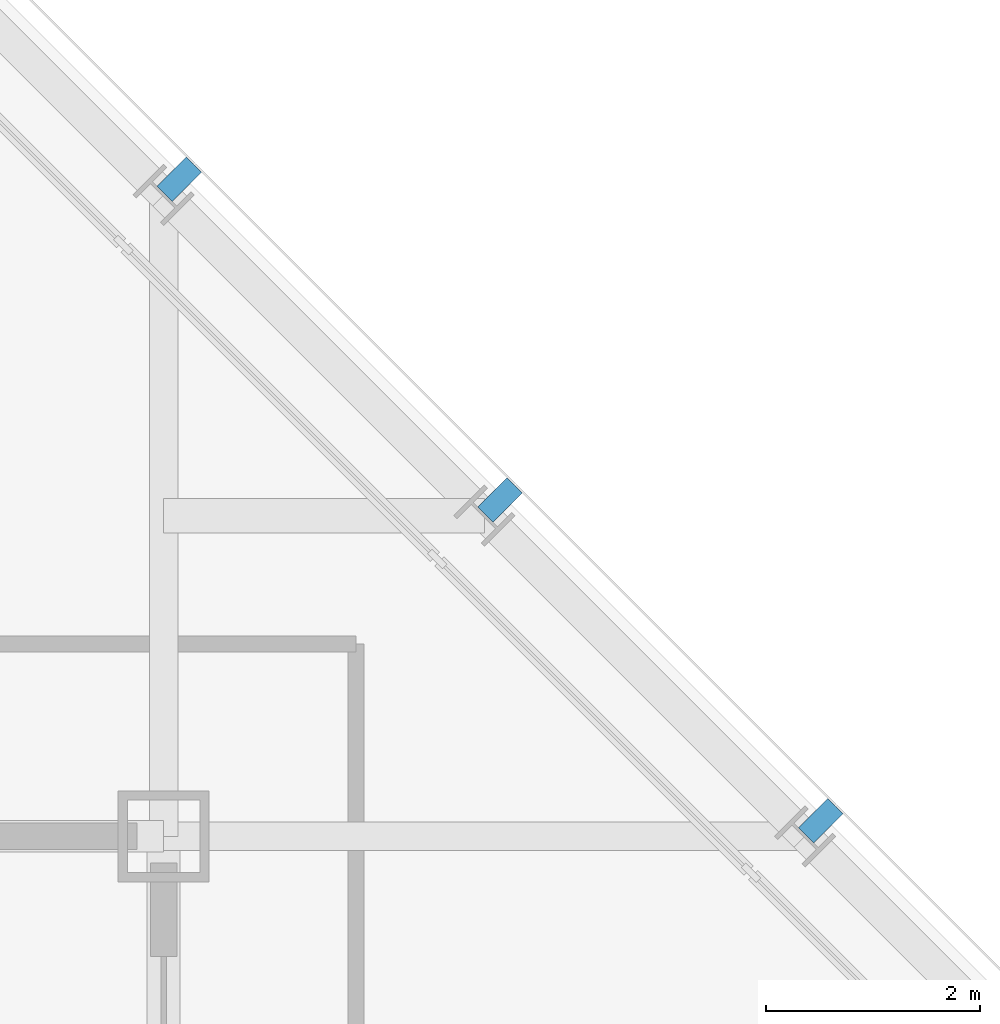
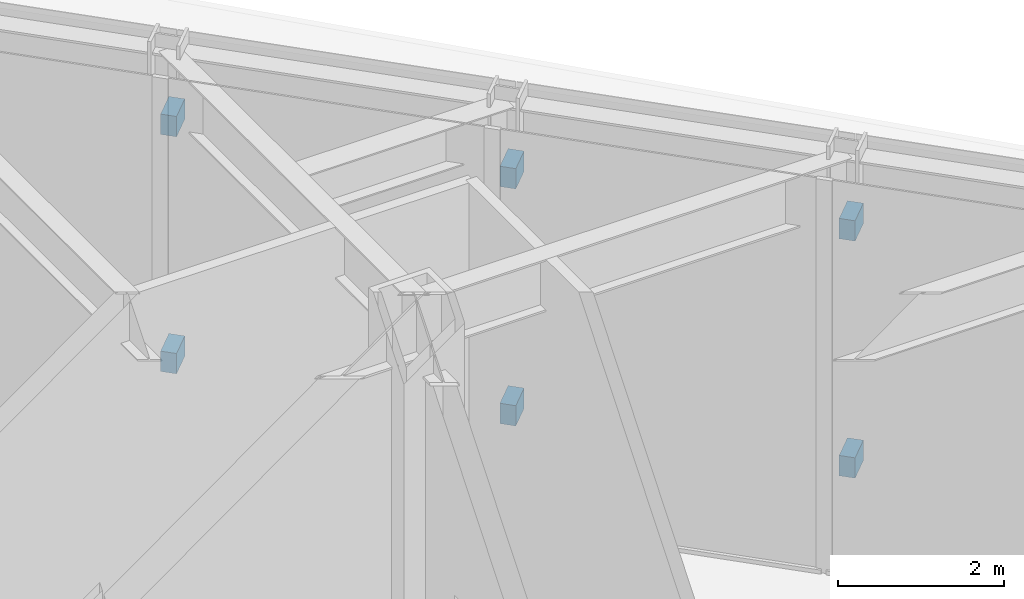
# One storey, part 20 of 30: 6 discrete accessories.
"""IFC4 building model written with IfcOpenShell, lengths in metres."""

from ifc_helpers import new_model, si_unit, direction, frame, origin, origin_2d, place, context, subcontext, project, spatial, rectangle, extrude, material, type_object, element, save


model = new_model("IFC4")

# Units and contexts
model_context = context("Model", 3, precision=1e-05, world=origin(), true_north=direction((0.0, 1.0)))
body_context = subcontext(model_context, "Body", "Model", "MODEL_VIEW")
ifc_project = project(units=[si_unit("LENGTHUNIT", "METRE"), si_unit("AREAUNIT", "SQUARE_METRE"), si_unit("VOLUMEUNIT", "CUBIC_METRE"), si_unit("PLANEANGLEUNIT", "RADIAN"), si_unit("MASSUNIT", "GRAM", prefix="KILO")], contexts=[model_context])

# Site, building, storey
site_placement = place(None, origin())
site = spatial("IfcSite", under=ifc_project, at=site_placement, CompositionType="ELEMENT")
building_placement = place(site_placement, origin())
building = spatial("IfcBuilding", under=site, at=building_placement, Name="Chuquiago Exchange Tower", CompositionType="ELEMENT")
storey_placement = place(building_placement, frame((0.0, 0.0, 306.0)))
storey = spatial("IfcBuildingStorey", under=building, at=storey_placement, Name="L68", CompositionType="ELEMENT", Elevation=306.0)

# Discrete accessories
ifc_material = material(Name="Stainless steel plate bracket", Category="steel")
discrete_accessory_type = type_object("IfcDiscreteAccessoryType", Name="GB2 cladding bracket 386", PredefinedType="BRACKET", material=ifc_material)
for number, where, z_axis, x_axis, name in (
    (1, (39.146240234375, 33.146240234375, 1.0048828125), (0.0, 0.0, 1.0), (-0.707106781187, 0.707106781187, 0.0), "Cladding bracket L68 NE"),
    (2, (39.146240234375, 33.146240234375, 4.5), (0.0, 0.0, 1.0), (-0.707106781187, 0.707106781187, 0.0), "Cladding bracket L68 NE"),
    (3, (36.146240234375, 36.146240234375, 1.0048828125), (0.0, 0.0, 1.0), (-0.707106781187, 0.707106781187, 0.0), "Cladding bracket L68 NE"),
    (4, (36.146240234375, 36.146240234375, 4.5), (0.0, 0.0, 1.0), (-0.707106781187, 0.707106781187, 0.0), "Cladding bracket L68 NE"),
    (5, (33.146240234375, 39.146240234375, 1.0048828125), (0.0, 0.0, 1.0), (-0.707106781187, 0.707106781187, 0.0), "Cladding bracket L68 NE"),
    (6, (33.146240234375, 39.146240234375, 4.5), (0.0, 0.0, 1.0), (-0.707106781187, 0.707106781187, 0.0), "Cladding bracket L68 NE"),
):
    element("IfcDiscreteAccessory", number, at=place(storey_placement, frame(where, z_axis=z_axis, x_axis=x_axis)), inside=storey, type_object=discrete_accessory_type, Name=name, PredefinedType="BRACKET", context=body_context, shape_type="SweptSolid", body=[
        extrude(rectangle(XDim=0.199951171875, YDim=0.386474609375, at=origin_2d()), origin(), (0.0, 0.0, 1.0), 0.300048828125),
    ])

save(model, "model.ifc")
